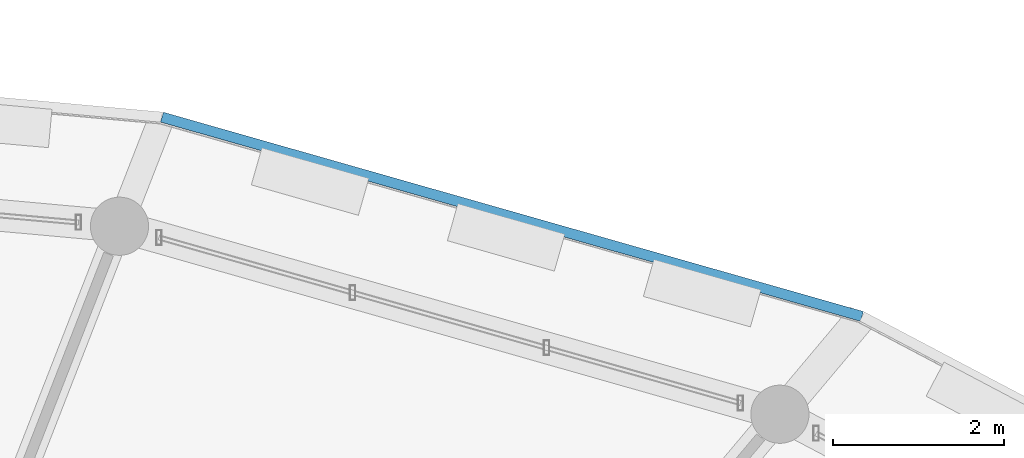
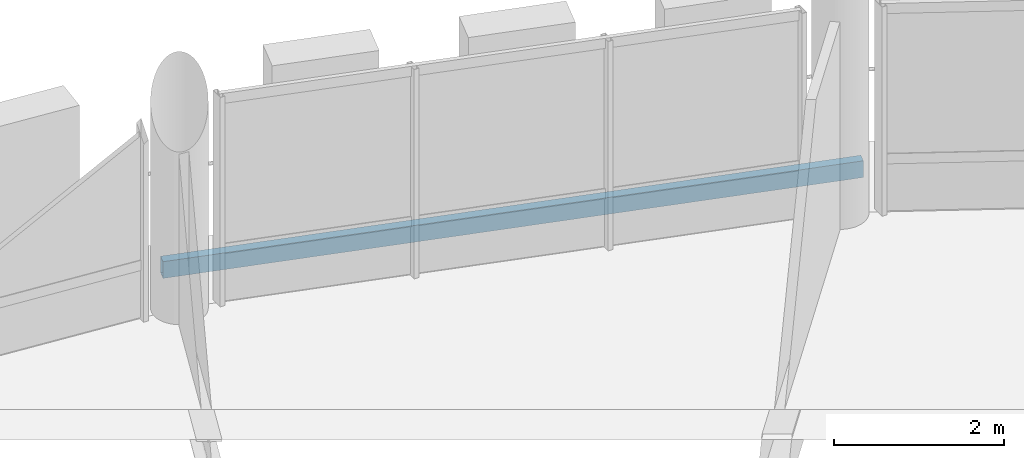
# One storey, part 78 of 128: 1 beam.
"""IFC4 building model written with IfcOpenShell, lengths in metres."""

from ifc_helpers import new_model, si_unit, direction, frame, origin, origin_2d, place, context, subcontext, project, spatial, hollow_rectangle, extrude, material, material_profile, profile_set, type_object, element, save


model = new_model("IFC4")

# Units and contexts
model_context = context("Model", 3, precision=1e-05, world=origin(), true_north=direction((0.0, 1.0)))
body_context = subcontext(model_context, "Body", "Model", "MODEL_VIEW")
ifc_project = project(units=[si_unit("LENGTHUNIT", "METRE"), si_unit("AREAUNIT", "SQUARE_METRE"), si_unit("VOLUMEUNIT", "CUBIC_METRE"), si_unit("PLANEANGLEUNIT", "RADIAN"), si_unit("MASSUNIT", "GRAM", prefix="KILO")], contexts=[model_context])

# Site, building, storey
site_placement = place(None, origin())
site = spatial("IfcSite", under=ifc_project, at=site_placement, CompositionType="ELEMENT")
building_placement = place(site_placement, origin())
building = spatial("IfcBuilding", under=site, at=building_placement, Name="Zornivar Specialist Clinic", CompositionType="ELEMENT")
storey_placement = place(building_placement, frame((0.0, 0.0, 4.5)))
storey = spatial("IfcBuildingStorey", under=building, at=storey_placement, Name="L01", CompositionType="ELEMENT", Elevation=4.5)

# Beam
ifc_material = material(Name="Steel S355J2", Category="steel")
ifc_material_profile = material_profile(ifc_material, hollow_rectangle(XDim=0.1201171875, YDim=0.239990234375, WallThickness=0.008056640625, at=origin_2d()), Name="RHS 240x120x8")
ifc_profile_set = profile_set([ifc_material_profile], Name="Steel S355J2")
beam_type = type_object("IfcBeamType", Name="BM-STL-RHS240", PredefinedType="JOIST", material=ifc_profile_set)
beam_placement = place(storey_placement, frame((110.56005859375, 77.7958984375, -0.360107421875), z_axis=(-0.961783454314, 0.273811225131, 0.0), x_axis=(-0.273811225131, -0.961783454314, 0.0)))
element("IfcBeam", 1, at=beam_placement, inside=storey, type_object=beam_type, Name="bm:V1:L01:balring:04", PredefinedType="JOIST", context=body_context, shape_type="SweptSolid", body=[
    extrude(hollow_rectangle(XDim=0.1201171875, YDim=0.239990234375, WallThickness=0.008056640625, at=origin_2d()), origin(), (0.0, 0.0, 1.0), 8.50634765625),
])

save(model, "model.ifc")
